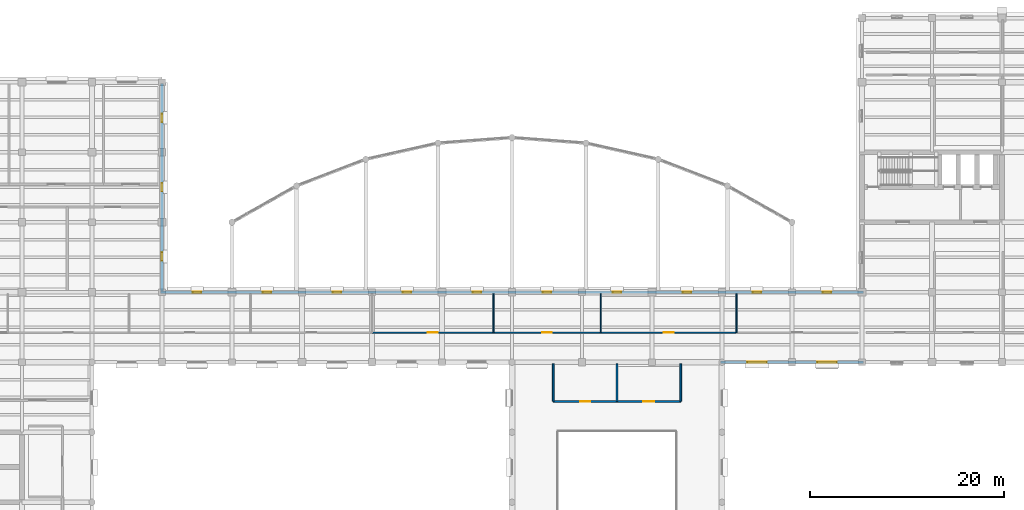
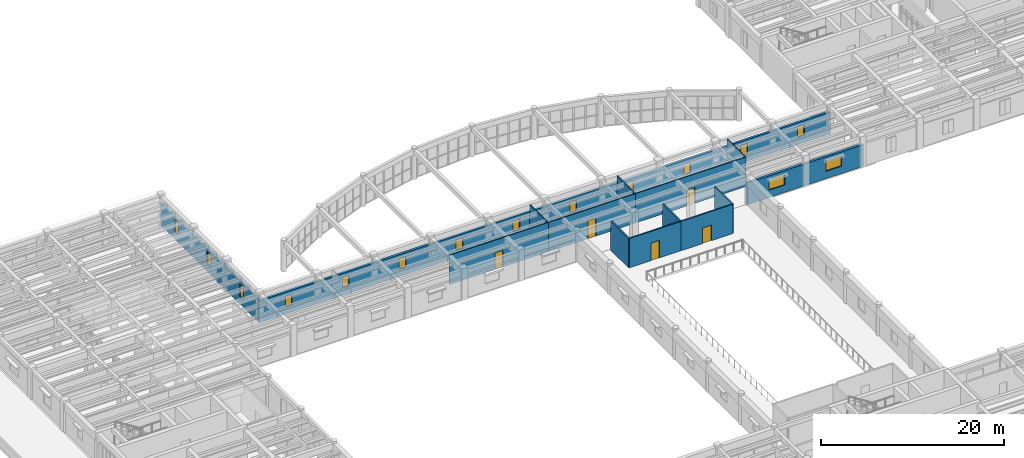
# One storey, part 56 of 76: 15 windows, 14 walls, 5 doors, 20 openings.
"""IFC4 building model written with IfcOpenShell, lengths in metres."""

from ifc_helpers import new_model, si_unit, direction, frame, frame_2d, origin, place, context, subcontext, project, spatial, rectangle, extrude, material, layer, layer_set, type_object, element, fill, save


model = new_model("IFC4")

# Units and contexts
model_context = context("Model", 3, precision=1e-05, world=origin(), true_north=direction((0.0, 1.0)))
body_context = subcontext(model_context, "Body", "Model", "MODEL_VIEW")
ifc_project = project(units=[si_unit("LENGTHUNIT", "METRE"), si_unit("AREAUNIT", "SQUARE_METRE"), si_unit("VOLUMEUNIT", "CUBIC_METRE"), si_unit("PLANEANGLEUNIT", "RADIAN"), si_unit("MASSUNIT", "GRAM", prefix="KILO")], contexts=[model_context])

# Site, building, storey
site_placement = place(None, origin())
site = spatial("IfcSite", under=ifc_project, at=site_placement, CompositionType="ELEMENT")
building_placement = place(site_placement, origin())
building = spatial("IfcBuilding", under=site, at=building_placement, Name="Mithqara Police Headquarters", CompositionType="ELEMENT")
storey_placement = place(building_placement, frame((0.0, 0.0, 5.39990234375)))
storey = spatial("IfcBuildingStorey", under=building, at=storey_placement, Name="L01", CompositionType="ELEMENT", Elevation=5.39990234375)

# Wall, openings, windows
ifc_material_1 = material(Name="Ochre masonry cavity wall, 35 MPa", Category="masonry")
ifc_layer_1 = layer(ifc_material_1, 0.300048828125, Name="Ochre masonry cavity wall, 35 MPa")
ifc_layer_set_1 = layer_set([ifc_layer_1], Name="Ochre masonry cavity wall, 35 MPa")
wall_type_1 = type_object("IfcWallType", Name="EXT WALL OCHRE BRICK300", PredefinedType="SOLIDWALL", material=ifc_layer_set_1)
wall_1_placement = place(storey_placement, frame((108.75, 85.800048828125, 0.0), z_axis=(0.0, 0.0, 1.0), x_axis=(-1.0, 0.0, 0.0)))
wall_1 = element("IfcWall", 1, at=wall_1_placement, inside=storey, type_object=wall_type_1, Name="L01 Exterior Wall 12.1", PredefinedType="SOLIDWALL", context=body_context, shape_type="SweptSolid", body=[
    extrude(rectangle(XDim=72.300048828125, YDim=0.300048828125, at=frame_2d((36.14990234375, 0.0))), origin(), (0.0, 0.0, 1.0), 2.920166015625),
])
opening_1_placement = place(wall_1_placement, frame((68.125, 0.0, 1.0)))
opening_1 = element("IfcOpeningElement", 2, at=opening_1_placement, cuts=wall_1, Name="Opening W-01", PredefinedType="OPENING", context=body_context, shape_type="SweptSolid", body=[
    extrude(rectangle(XDim=0.85009765625, YDim=1.39990234375, at=frame_2d((0.425048828125, 0.699951171875))), frame((0.0, 0.16015625, 0.0), z_axis=(0.0, -1.0, 0.0), x_axis=(1.0, 0.0, 0.0)), (0.0, 0.0, 1.0), 0.320068359375),
])
opening_2_placement = place(wall_1_placement, frame((60.925048828125, 0.0, 1.0)))
opening_2 = element("IfcOpeningElement", 3, at=opening_2_placement, cuts=wall_1, Name="Opening W-01", PredefinedType="OPENING", context=body_context, shape_type="SweptSolid", body=[
    extrude(rectangle(XDim=0.85009765625, YDim=1.39990234375, at=frame_2d((0.425048828125, 0.699951171875))), frame((0.0, 0.16015625, 0.0), z_axis=(0.0, -1.0, 0.0), x_axis=(1.0, 0.0, 0.0)), (0.0, 0.0, 1.0), 0.320068359375),
])
opening_3_placement = place(wall_1_placement, frame((53.72509765625, 0.0, 1.0)))
opening_3 = element("IfcOpeningElement", 4, at=opening_3_placement, cuts=wall_1, Name="Opening W-01", PredefinedType="OPENING", context=body_context, shape_type="SweptSolid", body=[
    extrude(rectangle(XDim=0.85009765625, YDim=1.39990234375, at=frame_2d((0.425048828125, 0.699951171875))), frame((0.0, 0.16015625, 0.0), z_axis=(0.0, -1.0, 0.0), x_axis=(1.0, 0.0, 0.0)), (0.0, 0.0, 1.0), 0.320068359375),
])
opening_4_placement = place(wall_1_placement, frame((46.52490234375, 0.0, 1.0)))
opening_4 = element("IfcOpeningElement", 5, at=opening_4_placement, cuts=wall_1, Name="Opening W-01", PredefinedType="OPENING", context=body_context, shape_type="SweptSolid", body=[
    extrude(rectangle(XDim=0.85009765625, YDim=1.39990234375, at=frame_2d((0.425048828125, 0.699951171875))), frame((0.0, 0.16015625, 0.0), z_axis=(0.0, -1.0, 0.0), x_axis=(1.0, 0.0, 0.0)), (0.0, 0.0, 1.0), 0.320068359375),
])
opening_5_placement = place(wall_1_placement, frame((39.324951171875, 0.0, 1.0)))
opening_5 = element("IfcOpeningElement", 6, at=opening_5_placement, cuts=wall_1, Name="Opening W-01", PredefinedType="OPENING", context=body_context, shape_type="SweptSolid", body=[
    extrude(rectangle(XDim=0.85009765625, YDim=1.39990234375, at=frame_2d((0.425048828125, 0.699951171875))), frame((0.0, 0.16015625, 0.0), z_axis=(0.0, -1.0, 0.0), x_axis=(1.0, 0.0, 0.0)), (0.0, 0.0, 1.0), 0.320068359375),
])
opening_6_placement = place(wall_1_placement, frame((32.125, 0.0, 1.0)))
opening_6 = element("IfcOpeningElement", 7, at=opening_6_placement, cuts=wall_1, Name="Opening W-01", PredefinedType="OPENING", context=body_context, shape_type="SweptSolid", body=[
    extrude(rectangle(XDim=0.85009765625, YDim=1.39990234375, at=frame_2d((0.425048828125, 0.699951171875))), frame((0.0, 0.16015625, 0.0), z_axis=(0.0, -1.0, 0.0), x_axis=(1.0, 0.0, 0.0)), (0.0, 0.0, 1.0), 0.320068359375),
])
opening_7_placement = place(wall_1_placement, frame((24.925048828125, 0.0, 1.0)))
opening_7 = element("IfcOpeningElement", 8, at=opening_7_placement, cuts=wall_1, Name="Opening W-01", PredefinedType="OPENING", context=body_context, shape_type="SweptSolid", body=[
    extrude(rectangle(XDim=0.85009765625, YDim=1.39990234375, at=frame_2d((0.425048828125, 0.699951171875))), frame((0.0, 0.16015625, 0.0), z_axis=(0.0, -1.0, 0.0), x_axis=(1.0, 0.0, 0.0)), (0.0, 0.0, 1.0), 0.320068359375),
])
opening_8_placement = place(wall_1_placement, frame((17.72509765625, 0.0, 1.0)))
opening_8 = element("IfcOpeningElement", 9, at=opening_8_placement, cuts=wall_1, Name="Opening W-01", PredefinedType="OPENING", context=body_context, shape_type="SweptSolid", body=[
    extrude(rectangle(XDim=0.85009765625, YDim=1.39990234375, at=frame_2d((0.425048828125, 0.699951171875))), frame((0.0, 0.16015625, 0.0), z_axis=(0.0, -1.0, 0.0), x_axis=(1.0, 0.0, 0.0)), (0.0, 0.0, 1.0), 0.320068359375),
])
opening_9_placement = place(wall_1_placement, frame((10.52490234375, 0.0, 1.0)))
opening_9 = element("IfcOpeningElement", 10, at=opening_9_placement, cuts=wall_1, Name="Opening W-01", PredefinedType="OPENING", context=body_context, shape_type="SweptSolid", body=[
    extrude(rectangle(XDim=0.85009765625, YDim=1.39990234375, at=frame_2d((0.425048828125, 0.699951171875))), frame((0.0, 0.16015625, 0.0), z_axis=(0.0, -1.0, 0.0), x_axis=(1.0, 0.0, 0.0)), (0.0, 0.0, 1.0), 0.320068359375),
])
opening_10_placement = place(wall_1_placement, frame((3.324951171875, 0.0, 1.0)))
opening_10 = element("IfcOpeningElement", 11, at=opening_10_placement, cuts=wall_1, Name="Opening W-01", PredefinedType="OPENING", context=body_context, shape_type="SweptSolid", body=[
    extrude(rectangle(XDim=0.85009765625, YDim=1.39990234375, at=frame_2d((0.425048828125, 0.699951171875))), frame((0.0, 0.16015625, 0.0), z_axis=(0.0, -1.0, 0.0), x_axis=(1.0, 0.0, 0.0)), (0.0, 0.0, 1.0), 0.320068359375),
])
ifc_material_2 = material(Name="Spectrally selective double low-e glass", Category="glass")
window_type_1 = type_object("IfcWindowType", Name="WINDOW 850X1400", PartitioningType="SINGLE_PANEL", PredefinedType="WINDOW", material=ifc_material_2)
window_1_placement = place(opening_1_placement, origin())
window_1 = element("IfcWindow", 12, at=window_1_placement, inside=storey, type_object=window_type_1, Name="L01 Deep-Set Punched Window 12.1", OverallHeight=1.39990234375, OverallWidth=0.85009765625, PartitioningType="SINGLE_PANEL", PredefinedType="WINDOW", context=body_context, shape_type="SweptSolid", body=[
    extrude(rectangle(XDim=0.85009765625, YDim=1.39990234375, at=frame_2d((0.425048828125, 0.699951171875))), frame((0.0, 0.030029296875, 0.0), z_axis=(0.0, -1.0, 0.0), x_axis=(1.0, 0.0, 0.0)), (0.0, 0.0, 1.0), 0.06005859375),
])
fill(opening_1, window_1)
window_2_placement = place(opening_2_placement, origin())
window_2 = element("IfcWindow", 13, at=window_2_placement, inside=storey, type_object=window_type_1, Name="L01 Deep-Set Punched Window 12.2", OverallHeight=1.39990234375, OverallWidth=0.85009765625, PartitioningType="SINGLE_PANEL", PredefinedType="WINDOW", context=body_context, shape_type="SweptSolid", body=[
    extrude(rectangle(XDim=0.85009765625, YDim=1.39990234375, at=frame_2d((0.425048828125, 0.699951171875))), frame((0.0, 0.030029296875, 0.0), z_axis=(0.0, -1.0, 0.0), x_axis=(1.0, 0.0, 0.0)), (0.0, 0.0, 1.0), 0.06005859375),
])
fill(opening_2, window_2)
window_3_placement = place(opening_3_placement, origin())
window_3 = element("IfcWindow", 14, at=window_3_placement, inside=storey, type_object=window_type_1, Name="L01 Deep-Set Punched Window 12.3", OverallHeight=1.39990234375, OverallWidth=0.85009765625, PartitioningType="SINGLE_PANEL", PredefinedType="WINDOW", context=body_context, shape_type="SweptSolid", body=[
    extrude(rectangle(XDim=0.85009765625, YDim=1.39990234375, at=frame_2d((0.425048828125, 0.699951171875))), frame((0.0, 0.030029296875, 0.0), z_axis=(0.0, -1.0, 0.0), x_axis=(1.0, 0.0, 0.0)), (0.0, 0.0, 1.0), 0.06005859375),
])
fill(opening_3, window_3)
window_4_placement = place(opening_4_placement, origin())
window_4 = element("IfcWindow", 15, at=window_4_placement, inside=storey, type_object=window_type_1, Name="L01 Deep-Set Punched Window 12.4", OverallHeight=1.39990234375, OverallWidth=0.85009765625, PartitioningType="SINGLE_PANEL", PredefinedType="WINDOW", context=body_context, shape_type="SweptSolid", body=[
    extrude(rectangle(XDim=0.85009765625, YDim=1.39990234375, at=frame_2d((0.425048828125, 0.699951171875))), frame((0.0, 0.030029296875, 0.0), z_axis=(0.0, -1.0, 0.0), x_axis=(1.0, 0.0, 0.0)), (0.0, 0.0, 1.0), 0.06005859375),
])
fill(opening_4, window_4)
window_5_placement = place(opening_5_placement, origin())
window_5 = element("IfcWindow", 16, at=window_5_placement, inside=storey, type_object=window_type_1, Name="L01 Deep-Set Punched Window 12.5", OverallHeight=1.39990234375, OverallWidth=0.85009765625, PartitioningType="SINGLE_PANEL", PredefinedType="WINDOW", context=body_context, shape_type="SweptSolid", body=[
    extrude(rectangle(XDim=0.85009765625, YDim=1.39990234375, at=frame_2d((0.425048828125, 0.699951171875))), frame((0.0, 0.030029296875, 0.0), z_axis=(0.0, -1.0, 0.0), x_axis=(1.0, 0.0, 0.0)), (0.0, 0.0, 1.0), 0.06005859375),
])
fill(opening_5, window_5)
window_6_placement = place(opening_6_placement, origin())
window_6 = element("IfcWindow", 17, at=window_6_placement, inside=storey, type_object=window_type_1, Name="L01 Deep-Set Punched Window 12.6", OverallHeight=1.39990234375, OverallWidth=0.85009765625, PartitioningType="SINGLE_PANEL", PredefinedType="WINDOW", context=body_context, shape_type="SweptSolid", body=[
    extrude(rectangle(XDim=0.85009765625, YDim=1.39990234375, at=frame_2d((0.425048828125, 0.699951171875))), frame((0.0, 0.030029296875, 0.0), z_axis=(0.0, -1.0, 0.0), x_axis=(1.0, 0.0, 0.0)), (0.0, 0.0, 1.0), 0.06005859375),
])
fill(opening_6, window_6)
window_7_placement = place(opening_7_placement, origin())
window_7 = element("IfcWindow", 18, at=window_7_placement, inside=storey, type_object=window_type_1, Name="L01 Deep-Set Punched Window 12.7", OverallHeight=1.39990234375, OverallWidth=0.85009765625, PartitioningType="SINGLE_PANEL", PredefinedType="WINDOW", context=body_context, shape_type="SweptSolid", body=[
    extrude(rectangle(XDim=0.85009765625, YDim=1.39990234375, at=frame_2d((0.425048828125, 0.699951171875))), frame((0.0, 0.030029296875, 0.0), z_axis=(0.0, -1.0, 0.0), x_axis=(1.0, 0.0, 0.0)), (0.0, 0.0, 1.0), 0.06005859375),
])
fill(opening_7, window_7)
window_8_placement = place(opening_8_placement, origin())
window_8 = element("IfcWindow", 19, at=window_8_placement, inside=storey, type_object=window_type_1, Name="L01 Deep-Set Punched Window 12.8", OverallHeight=1.39990234375, OverallWidth=0.85009765625, PartitioningType="SINGLE_PANEL", PredefinedType="WINDOW", context=body_context, shape_type="SweptSolid", body=[
    extrude(rectangle(XDim=0.85009765625, YDim=1.39990234375, at=frame_2d((0.425048828125, 0.699951171875))), frame((0.0, 0.030029296875, 0.0), z_axis=(0.0, -1.0, 0.0), x_axis=(1.0, 0.0, 0.0)), (0.0, 0.0, 1.0), 0.06005859375),
])
fill(opening_8, window_8)
window_9_placement = place(opening_9_placement, origin())
window_9 = element("IfcWindow", 20, at=window_9_placement, inside=storey, type_object=window_type_1, Name="L01 Deep-Set Punched Window 12.9", OverallHeight=1.39990234375, OverallWidth=0.85009765625, PartitioningType="SINGLE_PANEL", PredefinedType="WINDOW", context=body_context, shape_type="SweptSolid", body=[
    extrude(rectangle(XDim=0.85009765625, YDim=1.39990234375, at=frame_2d((0.425048828125, 0.699951171875))), frame((0.0, 0.030029296875, 0.0), z_axis=(0.0, -1.0, 0.0), x_axis=(1.0, 0.0, 0.0)), (0.0, 0.0, 1.0), 0.06005859375),
])
fill(opening_9, window_9)
window_10_placement = place(opening_10_placement, origin())
window_10 = element("IfcWindow", 21, at=window_10_placement, inside=storey, type_object=window_type_1, Name="L01 Deep-Set Punched Window 12.10", OverallHeight=1.39990234375, OverallWidth=0.85009765625, PartitioningType="SINGLE_PANEL", PredefinedType="WINDOW", context=body_context, shape_type="SweptSolid", body=[
    extrude(rectangle(XDim=0.85009765625, YDim=1.39990234375, at=frame_2d((0.425048828125, 0.699951171875))), frame((0.0, 0.030029296875, 0.0), z_axis=(0.0, -1.0, 0.0), x_axis=(1.0, 0.0, 0.0)), (0.0, 0.0, 1.0), 0.06005859375),
])
fill(opening_10, window_10)

wall_2_placement = place(storey_placement, frame((36.60009765625, 85.949951171875, 0.0), z_axis=(0.0, 0.0, 1.0), x_axis=(0.0, 1.0, 0.0)))
wall_2 = element("IfcWall", 22, at=wall_2_placement, inside=storey, type_object=wall_type_1, Name="L01 Exterior Wall 13.1", PredefinedType="SOLIDWALL", context=body_context, shape_type="SweptSolid", body=[
    extrude(rectangle(XDim=21.300048828125, YDim=0.300048828125, at=frame_2d((10.64990234375, 0.0))), origin(), (0.0, 0.0, 1.0), 3.02001953125),
])
opening_11_placement = place(wall_2_placement, frame((3.10009765625, 0.0, 1.0)))
opening_11 = element("IfcOpeningElement", 23, at=opening_11_placement, cuts=wall_2, Name="Opening W-02", PredefinedType="OPENING", context=body_context, shape_type="SweptSolid", body=[
    extrude(rectangle(XDim=0.85009765625, YDim=1.64990234375, at=frame_2d((0.425048828125, 0.824951171875))), frame((0.0, 0.16015625, 0.0), z_axis=(0.0, -1.0, 0.0), x_axis=(1.0, 0.0, 0.0)), (0.0, 0.0, 1.0), 0.320068359375),
])
opening_12_placement = place(wall_2_placement, frame((10.22509765625, 0.0, 1.0)))
opening_12 = element("IfcOpeningElement", 24, at=opening_12_placement, cuts=wall_2, Name="Opening W-02", PredefinedType="OPENING", context=body_context, shape_type="SweptSolid", body=[
    extrude(rectangle(XDim=0.85009765625, YDim=1.64990234375, at=frame_2d((0.425048828125, 0.824951171875))), frame((0.0, 0.16015625, 0.0), z_axis=(0.0, -1.0, 0.0), x_axis=(1.0, 0.0, 0.0)), (0.0, 0.0, 1.0), 0.320068359375),
])
opening_13_placement = place(wall_2_placement, frame((17.35009765625, 0.0, 1.0)))
opening_13 = element("IfcOpeningElement", 25, at=opening_13_placement, cuts=wall_2, Name="Opening W-02", PredefinedType="OPENING", context=body_context, shape_type="SweptSolid", body=[
    extrude(rectangle(XDim=0.85009765625, YDim=1.64990234375, at=frame_2d((0.425048828125, 0.824951171875))), frame((0.0, 0.16015625, 0.0), z_axis=(0.0, -1.0, 0.0), x_axis=(1.0, 0.0, 0.0)), (0.0, 0.0, 1.0), 0.320068359375),
])
window_type_2 = type_object("IfcWindowType", Name="WINDOW 850X1650", PartitioningType="SINGLE_PANEL", PredefinedType="WINDOW", material=ifc_material_2)
window_11_placement = place(opening_11_placement, origin())
window_11 = element("IfcWindow", 26, at=window_11_placement, inside=storey, type_object=window_type_2, Name="L01 Deep-Set Punched Window 13.1", OverallHeight=1.64990234375, OverallWidth=0.85009765625, PartitioningType="SINGLE_PANEL", PredefinedType="WINDOW", context=body_context, shape_type="SweptSolid", body=[
    extrude(rectangle(XDim=0.85009765625, YDim=1.64990234375, at=frame_2d((0.425048828125, 0.824951171875))), frame((0.0, 0.030029296875, 0.0), z_axis=(0.0, -1.0, 0.0), x_axis=(1.0, 0.0, 0.0)), (0.0, 0.0, 1.0), 0.06005859375),
])
fill(opening_11, window_11)
window_12_placement = place(opening_12_placement, origin())
window_12 = element("IfcWindow", 27, at=window_12_placement, inside=storey, type_object=window_type_2, Name="L01 Deep-Set Punched Window 13.2", OverallHeight=1.64990234375, OverallWidth=0.85009765625, PartitioningType="SINGLE_PANEL", PredefinedType="WINDOW", context=body_context, shape_type="SweptSolid", body=[
    extrude(rectangle(XDim=0.85009765625, YDim=1.64990234375, at=frame_2d((0.425048828125, 0.824951171875))), frame((0.0, 0.030029296875, 0.0), z_axis=(0.0, -1.0, 0.0), x_axis=(1.0, 0.0, 0.0)), (0.0, 0.0, 1.0), 0.06005859375),
])
fill(opening_12, window_12)
window_13_placement = place(opening_13_placement, origin())
window_13 = element("IfcWindow", 28, at=window_13_placement, inside=storey, type_object=window_type_2, Name="L01 Deep-Set Punched Window 13.3", OverallHeight=1.64990234375, OverallWidth=0.85009765625, PartitioningType="SINGLE_PANEL", PredefinedType="WINDOW", context=body_context, shape_type="SweptSolid", body=[
    extrude(rectangle(XDim=0.85009765625, YDim=1.64990234375, at=frame_2d((0.425048828125, 0.824951171875))), frame((0.0, 0.030029296875, 0.0), z_axis=(0.0, -1.0, 0.0), x_axis=(1.0, 0.0, 0.0)), (0.0, 0.0, 1.0), 0.06005859375),
])
fill(opening_13, window_13)

wall_3_placement = place(storey_placement, frame((94.050048828125, 78.60009765625, 0.0), z_axis=(0.0, 0.0, 1.0), x_axis=(1.0, 0.0, 0.0)))
wall_3 = element("IfcWall", 29, at=wall_3_placement, inside=storey, type_object=wall_type_1, Name="L01 Exterior Wall 2.1", PredefinedType="SOLIDWALL", context=body_context, shape_type="SweptSolid", body=[
    extrude(rectangle(XDim=14.699951171875, YDim=0.300048828125, at=frame_2d((7.35009765625, 0.0))), origin(), (0.0, 0.0, 1.0), 2.920166015625),
])
opening_14_placement = place(wall_3_placement, frame((2.75, 0.0, 1.0)))
opening_14 = element("IfcOpeningElement", 30, at=opening_14_placement, cuts=wall_3, Name="Opening W-36", PredefinedType="OPENING", context=body_context, shape_type="SweptSolid", body=[
    extrude(rectangle(XDim=2.0, YDim=1.39990234375, at=frame_2d((1.0, 0.699951171875))), frame((0.0, 0.16015625, 0.0), z_axis=(0.0, -1.0, 0.0), x_axis=(1.0, 0.0, 0.0)), (0.0, 0.0, 1.0), 0.320068359375),
])
opening_15_placement = place(wall_3_placement, frame((9.949951171875, 0.0, 1.0)))
opening_15 = element("IfcOpeningElement", 31, at=opening_15_placement, cuts=wall_3, Name="Opening W-36", PredefinedType="OPENING", context=body_context, shape_type="SweptSolid", body=[
    extrude(rectangle(XDim=2.0, YDim=1.39990234375, at=frame_2d((1.0, 0.699951171875))), frame((0.0, 0.16015625, 0.0), z_axis=(0.0, -1.0, 0.0), x_axis=(1.0, 0.0, 0.0)), (0.0, 0.0, 1.0), 0.320068359375),
])
window_type_3 = type_object("IfcWindowType", Name="WINDOW 2000X1400", PartitioningType="DOUBLE_PANEL_VERTICAL", PredefinedType="WINDOW", material=ifc_material_2)
window_14_placement = place(opening_14_placement, origin())
window_14 = element("IfcWindow", 32, at=window_14_placement, inside=storey, type_object=window_type_3, Name="L01 Deep-Set Punched Window 2.1", OverallHeight=1.39990234375, OverallWidth=2.0, PartitioningType="SINGLE_PANEL", PredefinedType="WINDOW", context=body_context, shape_type="SweptSolid", body=[
    extrude(rectangle(XDim=2.0, YDim=1.39990234375, at=frame_2d((1.0, 0.699951171875))), frame((0.0, 0.030029296875, 0.0), z_axis=(0.0, -1.0, 0.0), x_axis=(1.0, 0.0, 0.0)), (0.0, 0.0, 1.0), 0.06005859375),
])
fill(opening_14, window_14)
window_15_placement = place(opening_15_placement, origin())
window_15 = element("IfcWindow", 33, at=window_15_placement, inside=storey, type_object=window_type_3, Name="L01 Deep-Set Punched Window 2.2", OverallHeight=1.39990234375, OverallWidth=2.0, PartitioningType="SINGLE_PANEL", PredefinedType="WINDOW", context=body_context, shape_type="SweptSolid", body=[
    extrude(rectangle(XDim=2.0, YDim=1.39990234375, at=frame_2d((1.0, 0.699951171875))), frame((0.0, 0.030029296875, 0.0), z_axis=(0.0, -1.0, 0.0), x_axis=(1.0, 0.0, 0.0)), (0.0, 0.0, 1.0), 0.06005859375),
])
fill(opening_15, window_15)

# Wall, opening, door
ifc_material_3 = material(Name="Gypsum acoustic stud partition", Category="gypsum")
ifc_layer_2 = layer(ifc_material_3, 0.1201171875, Name="Gypsum acoustic stud partition")
ifc_layer_set_2 = layer_set([ifc_layer_2], Name="Gypsum acoustic stud partition")
wall_type_2 = type_object("IfcWallType", Name="PART WALL 120", PredefinedType="PARTITIONING", material=ifc_layer_set_2)
wall_4_placement = place(storey_placement, frame((58.199951171875, 81.639892578125, 0.0), z_axis=(0.0, 0.0, 1.0), x_axis=(1.0, 0.0, 0.0)))
wall_4 = element("IfcWall", 34, at=wall_4_placement, inside=storey, type_object=wall_type_2, Name="L01 Corridor Wall Social Worker Liaison Room", PredefinedType="PARTITIONING", context=body_context, shape_type="SweptSolid", body=[
    extrude(rectangle(XDim=12.4951171875, YDim=0.1201171875, at=frame_2d((6.24755859375, 0.0))), origin(), (0.0, 0.0, 1.0), 3.920166015625),
])
opening_16_placement = place(wall_4_placement, frame((5.757568359375, 0.0, 0.0)))
opening_16 = element("IfcOpeningElement", 35, at=opening_16_placement, cuts=wall_4, Name="Opening D-05", PredefinedType="OPENING", context=body_context, shape_type="SweptSolid", body=[
    extrude(rectangle(XDim=0.97998046875, YDim=2.219970703125, at=frame_2d((0.489990234375, 1.10986328125))), frame((0.0, 0.070068359375, 0.0), z_axis=(0.0, -1.0, 0.0), x_axis=(1.0, 0.0, 0.0)), (0.0, 0.0, 1.0), 0.14013671875),
])
ifc_material_4 = material(Name="Acoustic solid-core timber leaf", Category="wood")
door_type_1 = type_object("IfcDoorType", Name="INT DOOR 980X2220", OperationType="NOTDEFINED", PredefinedType="DOOR", material=ifc_material_4)
door_1_placement = place(opening_16_placement, origin())
door_1 = element("IfcDoor", 36, at=door_1_placement, inside=storey, type_object=door_type_1, Name="Social Worker Liaison Room Entry Door", OperationType="SINGLE_SWING_RIGHT", OverallHeight=2.219970703125, OverallWidth=0.97998046875, PredefinedType="DOOR", context=body_context, shape_type="SweptSolid", body=[
    extrude(rectangle(XDim=0.97998046875, YDim=2.219970703125, at=frame_2d((0.489990234375, 1.10986328125))), frame((0.0, 0.02490234375, 0.0), z_axis=(0.0, -1.0, 0.0), x_axis=(1.0, 0.0, 0.0)), (0.0, 0.0, 1.0), 0.050048828125),
])
fill(opening_16, door_1)

# Wall
wall_5_placement = place(storey_placement, frame((70.695068359375, 81.639892578125, 0.0), z_axis=(0.0, 0.0, 1.0), x_axis=(0.0, 1.0, 0.0)))
element("IfcWall", 37, at=wall_5_placement, inside=storey, type_object=wall_type_2, Name="L01 Room Partition Social Worker Liaison Room", PredefinedType="PARTITIONING", context=body_context, shape_type="SweptSolid", body=[
    extrude(rectangle(XDim=3.980224609375, YDim=0.1201171875, at=frame_2d((1.990234375, 0.0))), origin(), (0.0, 0.0, 1.0), 3.920166015625),
])

# Wall, opening, door
wall_6_placement = place(storey_placement, frame((70.695068359375, 81.639892578125, 0.0), z_axis=(0.0, 0.0, 1.0), x_axis=(1.0, 0.0, 0.0)))
wall_6 = element("IfcWall", 38, at=wall_6_placement, inside=storey, type_object=wall_type_2, Name="L01 Corridor Wall Interpreter Suite", PredefinedType="PARTITIONING", context=body_context, shape_type="SweptSolid", body=[
    extrude(rectangle(XDim=11.044921875, YDim=0.1201171875, at=frame_2d((5.5224609375, 0.0))), origin(), (0.0, 0.0, 1.0), 3.920166015625),
])
opening_17_placement = place(wall_6_placement, frame((5.032470703125, 0.0, 0.0)))
opening_17 = element("IfcOpeningElement", 39, at=opening_17_placement, cuts=wall_6, Name="Opening D-06", PredefinedType="OPENING", context=body_context, shape_type="SweptSolid", body=[
    extrude(rectangle(XDim=0.97998046875, YDim=2.35009765625, at=frame_2d((0.489990234375, 1.175048828125))), frame((0.0, 0.070068359375, 0.0), z_axis=(0.0, -1.0, 0.0), x_axis=(1.0, 0.0, 0.0)), (0.0, 0.0, 1.0), 0.14013671875),
])
door_type_2 = type_object("IfcDoorType", Name="INT DOOR 980X2350", OperationType="NOTDEFINED", PredefinedType="DOOR", material=ifc_material_4)
door_2_placement = place(opening_17_placement, origin())
door_2 = element("IfcDoor", 40, at=door_2_placement, inside=storey, type_object=door_type_2, Name="Interpreter Suite Entry Door", OperationType="SINGLE_SWING_LEFT", OverallHeight=2.35009765625, OverallWidth=0.97998046875, PredefinedType="DOOR", context=body_context, shape_type="SweptSolid", body=[
    extrude(rectangle(XDim=0.97998046875, YDim=2.35009765625, at=frame_2d((0.489990234375, 1.175048828125))), frame((0.0, 0.02490234375, 0.0), z_axis=(0.0, -1.0, 0.0), x_axis=(1.0, 0.0, 0.0)), (0.0, 0.0, 1.0), 0.050048828125),
])
fill(opening_17, door_2)

# Wall
wall_7_placement = place(storey_placement, frame((81.739990234375, 81.639892578125, 0.0), z_axis=(0.0, 0.0, 1.0), x_axis=(0.0, 1.0, 0.0)))
element("IfcWall", 41, at=wall_7_placement, inside=storey, type_object=wall_type_2, Name="L01 Room Partition Interpreter Suite", PredefinedType="PARTITIONING", context=body_context, shape_type="SweptSolid", body=[
    extrude(rectangle(XDim=3.980224609375, YDim=0.1201171875, at=frame_2d((1.990234375, 0.0))), origin(), (0.0, 0.0, 1.0), 3.920166015625),
])

# Wall, opening, door
wall_8_placement = place(storey_placement, frame((81.739990234375, 81.639892578125, 0.0), z_axis=(0.0, 0.0, 1.0), x_axis=(1.0, 0.0, 0.0)))
wall_8 = element("IfcWall", 42, at=wall_8_placement, inside=storey, type_object=wall_type_2, Name="L01 Corridor Wall Civic Gallery Concourse", PredefinedType="PARTITIONING", context=body_context, shape_type="SweptSolid", body=[
    extrude(rectangle(XDim=13.945068359375, YDim=0.1201171875, at=frame_2d((6.97265625, 0.0))), origin(), (0.0, 0.0, 1.0), 3.920166015625),
])
opening_18_placement = place(wall_8_placement, frame((6.452392578125, 0.0, 0.0)))
opening_18 = element("IfcOpeningElement", 43, at=opening_18_placement, cuts=wall_8, Name="Opening D-07", PredefinedType="OPENING", context=body_context, shape_type="SweptSolid", body=[
    extrude(rectangle(XDim=1.0400390625, YDim=2.10009765625, at=frame_2d((0.52001953125, 1.050048828125))), frame((0.0, 0.070068359375, 0.0), z_axis=(0.0, -1.0, 0.0), x_axis=(1.0, 0.0, 0.0)), (0.0, 0.0, 1.0), 0.14013671875),
])
door_type_3 = type_object("IfcDoorType", Name="INT DOOR 1040X2100", OperationType="NOTDEFINED", PredefinedType="DOOR", material=ifc_material_4)
door_3_placement = place(opening_18_placement, origin())
door_3 = element("IfcDoor", 44, at=door_3_placement, inside=storey, type_object=door_type_3, Name="Civic Gallery Concourse Entry Door", OperationType="SINGLE_SWING_RIGHT", OverallHeight=2.10009765625, OverallWidth=1.0400390625, PredefinedType="DOOR", context=body_context, shape_type="SweptSolid", body=[
    extrude(rectangle(XDim=1.0400390625, YDim=2.10009765625, at=frame_2d((0.52001953125, 1.050048828125))), frame((0.0, 0.02490234375, 0.0), z_axis=(0.0, -1.0, 0.0), x_axis=(1.0, 0.0, 0.0)), (0.0, 0.0, 1.0), 0.050048828125),
])
fill(opening_18, door_3)

# Walls
wall_9_placement = place(storey_placement, frame((95.68505859375, 81.639892578125, 0.0), z_axis=(0.0, 0.0, 1.0), x_axis=(0.0, 1.0, 0.0)))
element("IfcWall", 45, at=wall_9_placement, inside=storey, type_object=wall_type_2, Name="L01 Room Partition Civic Gallery Concourse", PredefinedType="PARTITIONING", context=body_context, shape_type="SweptSolid", body=[
    extrude(rectangle(XDim=3.980224609375, YDim=0.1201171875, at=frame_2d((1.990234375, 0.0))), origin(), (0.0, 0.0, 1.0), 3.920166015625),
])
ifc_material_5 = material(Name="Concrete C40/50", Category="concrete")
ifc_layer_3 = layer(ifc_material_5, 0.179931640625, Name="Concrete C40/50")
ifc_layer_set_3 = layer_set([ifc_layer_3], Name="Concrete C40/50")
wall_type_3 = type_object("IfcWallType", Name="PART WALL 180", PredefinedType="PARTITIONING", material=ifc_layer_set_3)
for number, where, z_axis, x_axis, name in (
    (46, (76.85009765625, 74.570068359375, 0.0), (0.0, 0.0, 1.0), (0.0, 1.0, 0.0), "L01 Partition End Closure E0"),
    (47, (89.949951171875, 74.570068359375, 0.0), (0.0, 0.0, 1.0), (0.0, 1.0, 0.0), "L01 Partition End Closure E1"),
):
    element("IfcWall", number, at=place(storey_placement, frame(where, z_axis=z_axis, x_axis=x_axis)), inside=storey, type_object=wall_type_3, Name=name, PredefinedType="PARTITIONING", context=body_context, shape_type="SweptSolid", body=[
        extrude(rectangle(XDim=3.849853515625, YDim=0.179931640625, at=frame_2d((1.9248046875, 0.0))), origin(), (0.0, 0.0, 1.0), 3.920166015625),
    ])

# Wall, opening, door
wall_10_placement = place(storey_placement, frame((76.85009765625, 74.570068359375, 0.0), z_axis=(0.0, 0.0, 1.0), x_axis=(1.0, 0.0, 0.0)))
wall_10 = element("IfcWall", 48, at=wall_10_placement, inside=storey, type_object=wall_type_3, Name="L01 Corridor Wall Public Viewing Gallery", PredefinedType="PARTITIONING", context=body_context, shape_type="SweptSolid", body=[
    extrude(rectangle(XDim=6.5498046875, YDim=0.179931640625, at=frame_2d((3.27490234375, 0.0))), origin(), (0.0, 0.0, 1.0), 3.920166015625),
])
opening_19_placement = place(wall_10_placement, frame((2.7548828125, 0.0, 0.0)))
opening_19 = element("IfcOpeningElement", 49, at=opening_19_placement, cuts=wall_10, Name="Opening D-09", PredefinedType="OPENING", context=body_context, shape_type="SweptSolid", body=[
    extrude(rectangle(XDim=1.0400390625, YDim=2.35009765625, at=frame_2d((0.52001953125, 1.175048828125))), frame((0.0, 0.10009765625, 0.0), z_axis=(0.0, -1.0, 0.0), x_axis=(1.0, 0.0, 0.0)), (0.0, 0.0, 1.0), 0.199951171875),
])
door_type_4 = type_object("IfcDoorType", Name="INT DOOR 1040X2350", OperationType="NOTDEFINED", PredefinedType="DOOR", material=ifc_material_4)
door_4_placement = place(opening_19_placement, origin())
door_4 = element("IfcDoor", 50, at=door_4_placement, inside=storey, type_object=door_type_4, Name="Public Viewing Gallery Entry Door", OperationType="SINGLE_SWING_RIGHT", OverallHeight=2.35009765625, OverallWidth=1.0400390625, PredefinedType="DOOR", context=body_context, shape_type="SweptSolid", body=[
    extrude(rectangle(XDim=1.0400390625, YDim=2.35009765625, at=frame_2d((0.52001953125, 1.175048828125))), frame((0.0, 0.02490234375, 0.0), z_axis=(0.0, -1.0, 0.0), x_axis=(1.0, 0.0, 0.0)), (0.0, 0.0, 1.0), 0.050048828125),
])
fill(opening_19, door_4)

# Wall
wall_11_placement = place(storey_placement, frame((83.39990234375, 74.570068359375, 0.0), z_axis=(0.0, 0.0, 1.0), x_axis=(0.0, 1.0, 0.0)))
element("IfcWall", 51, at=wall_11_placement, inside=storey, type_object=wall_type_3, Name="L01 Room Partition Public Viewing Gallery", PredefinedType="PARTITIONING", context=body_context, shape_type="SweptSolid", body=[
    extrude(rectangle(XDim=3.849853515625, YDim=0.179931640625, at=frame_2d((1.9248046875, 0.0))), origin(), (0.0, 0.0, 1.0), 3.920166015625),
])

# Wall, opening, door
wall_12_placement = place(storey_placement, frame((83.39990234375, 74.570068359375, 0.0), z_axis=(0.0, 0.0, 1.0), x_axis=(1.0, 0.0, 0.0)))
wall_12 = element("IfcWall", 52, at=wall_12_placement, inside=storey, type_object=wall_type_3, Name="L01 Corridor Wall Civic Heritage Display Alcove", PredefinedType="PARTITIONING", context=body_context, shape_type="SweptSolid", body=[
    extrude(rectangle(XDim=6.550048828125, YDim=0.179931640625, at=frame_2d((3.27490234375, 0.0))), origin(), (0.0, 0.0, 1.0), 3.920166015625),
])
opening_20_placement = place(wall_12_placement, frame((2.72509765625, 0.0, 0.0)))
opening_20 = element("IfcOpeningElement", 53, at=opening_20_placement, cuts=wall_12, Name="Opening D-10", PredefinedType="OPENING", context=body_context, shape_type="SweptSolid", body=[
    extrude(rectangle(XDim=1.10009765625, YDim=2.10009765625, at=frame_2d((0.550048828125, 1.050048828125))), frame((0.0, 0.10009765625, 0.0), z_axis=(0.0, -1.0, 0.0), x_axis=(1.0, 0.0, 0.0)), (0.0, 0.0, 1.0), 0.199951171875),
])
door_type_5 = type_object("IfcDoorType", Name="INT DOOR 1100X2100", OperationType="NOTDEFINED", PredefinedType="DOOR", material=ifc_material_4)
door_5_placement = place(opening_20_placement, origin())
door_5 = element("IfcDoor", 54, at=door_5_placement, inside=storey, type_object=door_type_5, Name="Civic Heritage Display Alcove Entry Door", OperationType="SINGLE_SWING_LEFT", OverallHeight=2.10009765625, OverallWidth=1.10009765625, PredefinedType="DOOR", context=body_context, shape_type="SweptSolid", body=[
    extrude(rectangle(XDim=1.10009765625, YDim=2.10009765625, at=frame_2d((0.550048828125, 1.050048828125))), frame((0.0, 0.02490234375, 0.0), z_axis=(0.0, -1.0, 0.0), x_axis=(1.0, 0.0, 0.0)), (0.0, 0.0, 1.0), 0.050048828125),
])
fill(opening_20, door_5)

save(model, "model.ifc")
